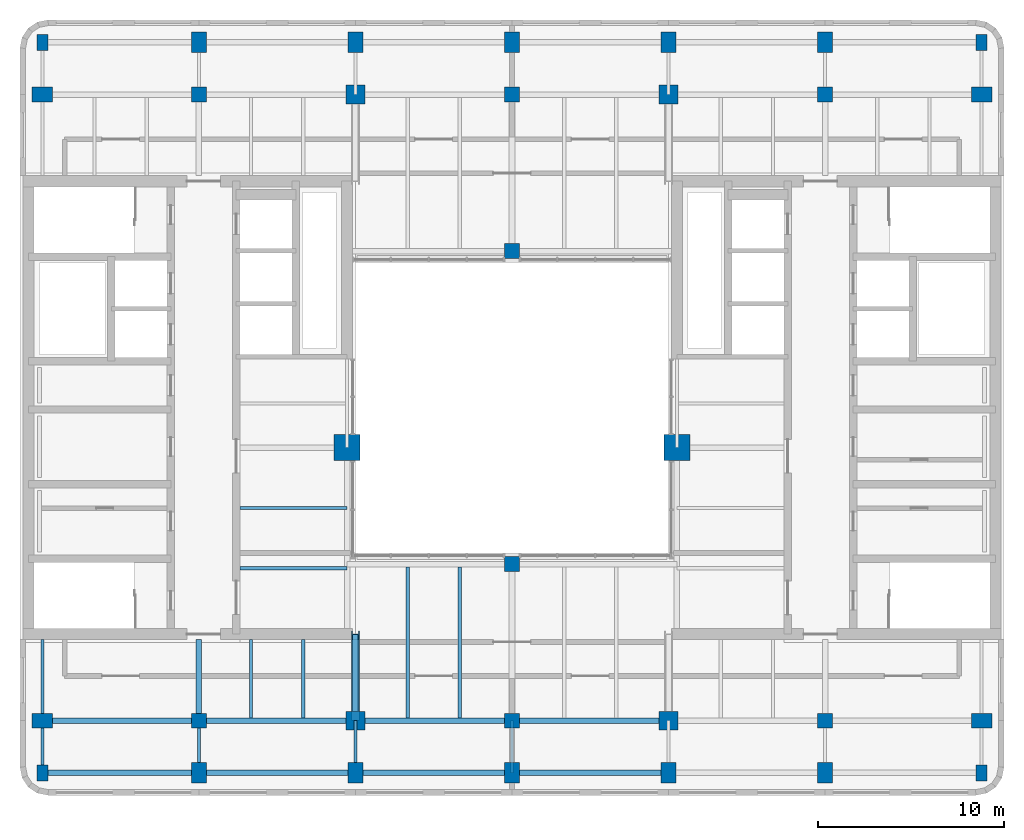
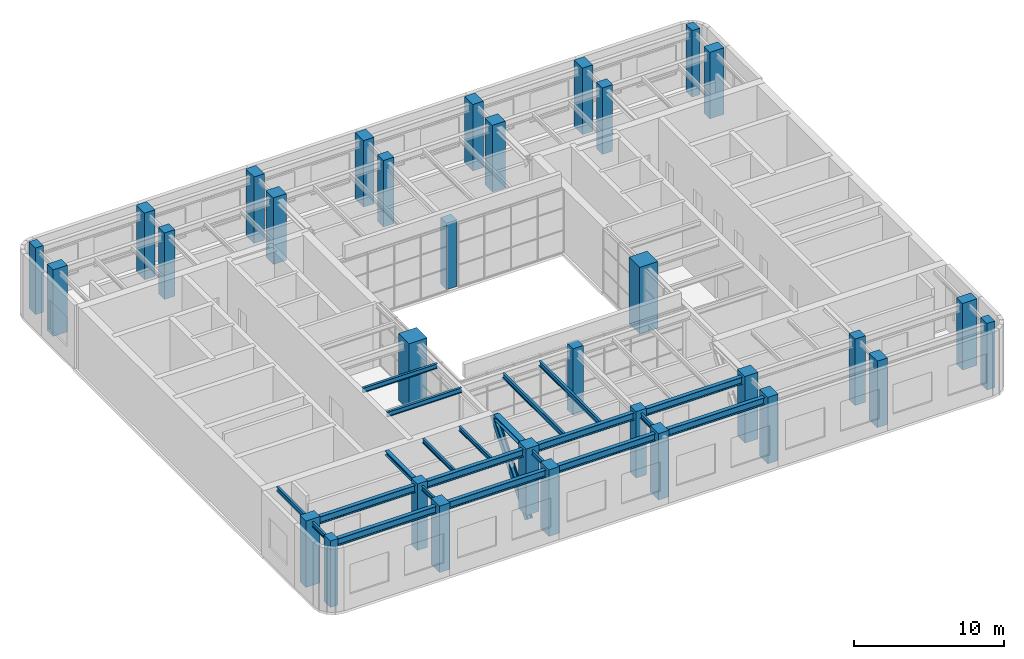
# One storey, part 1 of 11: 32 columns, 21 beams, 1 member.
"""IFC4 building model written with IfcOpenShell, lengths in metres."""

from ifc_helpers import new_model, si_unit, direction, frame, origin, origin_2d, place, context, subcontext, project, spatial, rectangle, i_section, extrude, material, material_profile, profile_set, type_object, element, save


model = new_model("IFC4")

# Units and contexts
model_context = context("Model", 3, precision=1e-05, world=origin(), true_north=direction((0.0, 1.0)))
body_context = subcontext(model_context, "Body", "Model", "MODEL_VIEW")
ifc_project = project(units=[si_unit("LENGTHUNIT", "METRE"), si_unit("AREAUNIT", "SQUARE_METRE"), si_unit("VOLUMEUNIT", "CUBIC_METRE"), si_unit("PLANEANGLEUNIT", "RADIAN"), si_unit("MASSUNIT", "GRAM", prefix="KILO")], contexts=[model_context])

# Site, building, storey
site_placement = place(None, origin())
site = spatial("IfcSite", under=ifc_project, at=site_placement, CompositionType="ELEMENT")
building_placement = place(site_placement, origin())
building = spatial("IfcBuilding", under=site, at=building_placement, Name="Claustro Exchange Tower", CompositionType="ELEMENT")
storey_placement = place(building_placement, frame((0.0, 0.0, 281.699951171875)))
storey = spatial("IfcBuildingStorey", under=building, at=storey_placement, Name="L64", CompositionType="ELEMENT", Elevation=281.699951171875)

# Columns
ifc_material_1 = material(Name="Concrete HA-70 (C70/85)", Category="concrete")
ifc_material_profile_1 = material_profile(ifc_material_1, rectangle(XDim=1.39990234375, YDim=1.39990234375, at=origin_2d()), Name="RC 1400x1400")
ifc_profile_set_1 = profile_set([ifc_material_profile_1], Name="Concrete HA-70 (C70/85)")
column_type_1 = type_object("IfcColumnType", Name="C0 RC 1400x1400 HA-70 column", PredefinedType="COLUMN", material=ifc_profile_set_1)
for number, where, z_axis, x_axis, name in (
    (1, (16.35009765625, 23.050048828125, 0.0), (0.0, 0.0, 1.0), (1.0, 0.0, 0.0), "Column C0 2+7950/C+6250 L64"),
    (2, (34.050048828125, 23.050048828125, 0.0), (0.0, 0.0, 1.0), (1.0, 0.0, 0.0), "Column C0 5+450/C+6250 L64"),
):
    element("IfcColumn", number, at=place(storey_placement, frame(where, z_axis=z_axis, x_axis=x_axis)), inside=storey, type_object=column_type_1, Name=name, PredefinedType="COLUMN", context=body_context, shape_type="SweptSolid", body=[
        extrude(rectangle(XDim=1.39990234375, YDim=1.39990234375, at=origin_2d()), origin(), (0.0, 0.0, 1.0), 5.400146484375),
    ])
ifc_material_2 = material(Name="Concrete HA-70 (C70/85)", Category="concrete")
ifc_material_profile_2 = material_profile(ifc_material_2, rectangle(XDim=1.0, YDim=1.0, at=origin_2d()), Name="RC 1000x1000")
ifc_profile_set_2 = profile_set([ifc_material_profile_2], Name="Concrete HA-70 (C70/85)")
column_type_2 = type_object("IfcColumnType", Name="C2 RC 1000x1000 HA-70 column", PredefinedType="COLUMN", material=ifc_profile_set_2)
for number, where, z_axis, x_axis, name in (
    (3, (16.800048828125, 8.39990234375, 0.0), (0.0, 0.0, 1.0), (1.0, 0.0, 0.0), "Column C2 3/B L64"),
    (4, (16.800048828125, 42.0, 0.0), (0.0, 0.0, 1.0), (1.0, 0.0, 0.0), "Column C2 3/F L64"),
    (5, (33.60009765625, 8.39990234375, 0.0), (0.0, 0.0, 1.0), (1.0, 0.0, 0.0), "Column C2 5/B L64"),
    (6, (33.60009765625, 42.0, 0.0), (0.0, 0.0, 1.0), (1.0, 0.0, 0.0), "Column C2 5/F L64"),
):
    element("IfcColumn", number, at=place(storey_placement, frame(where, z_axis=z_axis, x_axis=x_axis)), inside=storey, type_object=column_type_2, Name=name, PredefinedType="COLUMN", context=body_context, shape_type="SweptSolid", body=[
        extrude(rectangle(XDim=1.0, YDim=1.0, at=origin_2d()), origin(), (0.0, 0.0, 1.0), 5.400146484375),
    ])
ifc_material_3 = material(Name="Concrete HA-50 (C50/60)", Category="concrete")
ifc_material_profile_3 = material_profile(ifc_material_3, rectangle(XDim=0.800048828125, YDim=1.10009765625, at=origin_2d()), Name="RC 800x1100")
ifc_profile_set_3 = profile_set([ifc_material_profile_3], Name="Concrete HA-50 (C50/60)")
column_type_3 = type_object("IfcColumnType", Name="C23 RC 800x1100 HA-50 perimeter column", PredefinedType="COLUMN", material=ifc_profile_set_3)
for number, where, z_axis, x_axis, name in (
    (7, (0.0, 8.39990234375, 0.0), (0.0, 0.0, 1.0), (0.0, 1.0, 0.0), "Column C23 1/B L64"),
    (8, (0.0, 42.0, 0.0), (0.0, 0.0, 1.0), (0.0, 1.0, 0.0), "Column C23 1/F L64"),
    (9, (8.39990234375, 5.60009765625, 0.0), (0.0, 0.0, 1.0), (1.0, 0.0, 0.0), "Column C23 2/A+5600 L64"),
    (10, (8.39990234375, 44.800048828125, 0.0), (0.0, 0.0, 1.0), (1.0, 0.0, 0.0), "Column C23 2/F+2800 L64"),
    (11, (16.800048828125, 5.60009765625, 0.0), (0.0, 0.0, 1.0), (1.0, 0.0, 0.0), "Column C23 3/A+5600 L64"),
    (12, (16.800048828125, 44.800048828125, 0.0), (0.0, 0.0, 1.0), (1.0, 0.0, 0.0), "Column C23 3/F+2800 L64"),
    (13, (25.199951171875, 5.60009765625, 0.0), (0.0, 0.0, 1.0), (1.0, 0.0, 0.0), "Column C23 4/A+5600 L64"),
    (14, (25.199951171875, 44.800048828125, 0.0), (0.0, 0.0, 1.0), (1.0, 0.0, 0.0), "Column C23 4/F+2800 L64"),
    (15, (33.60009765625, 5.60009765625, 0.0), (0.0, 0.0, 1.0), (1.0, 0.0, 0.0), "Column C23 5/A+5600 L64"),
    (16, (33.60009765625, 44.800048828125, 0.0), (0.0, 0.0, 1.0), (1.0, 0.0, 0.0), "Column C23 5/F+2800 L64"),
    (17, (42.0, 5.60009765625, 0.0), (0.0, 0.0, 1.0), (1.0, 0.0, 0.0), "Column C23 6/A+5600 L64"),
    (18, (42.0, 44.800048828125, 0.0), (0.0, 0.0, 1.0), (1.0, 0.0, 0.0), "Column C23 6/F+2800 L64"),
    (19, (50.39990234375, 8.39990234375, 0.0), (0.0, 0.0, 1.0), (0.0, 1.0, 0.0), "Column C23 7/B L64"),
    (20, (50.39990234375, 42.0, 0.0), (0.0, 0.0, 1.0), (0.0, 1.0, 0.0), "Column C23 7/F L64"),
):
    element("IfcColumn", number, at=place(storey_placement, frame(where, z_axis=z_axis, x_axis=x_axis)), inside=storey, type_object=column_type_3, Name=name, PredefinedType="COLUMN", context=body_context, shape_type="SweptSolid", body=[
        extrude(rectangle(XDim=0.800048828125, YDim=1.10009765625, at=origin_2d()), origin(), (0.0, 0.0, 1.0), 5.400146484375),
    ])
ifc_material_4 = material(Name="Concrete HA-50 (C50/60)", Category="concrete")
ifc_material_profile_4 = material_profile(ifc_material_4, rectangle(XDim=0.60009765625, YDim=0.85009765625, at=origin_2d()), Name="RC 600x850")
ifc_profile_set_4 = profile_set([ifc_material_profile_4], Name="Concrete HA-50 (C50/60)")
column_type_4 = type_object("IfcColumnType", Name="C25 RC 600x850 HA-50 corner column", PredefinedType="COLUMN", material=ifc_profile_set_4)
for number, where, z_axis, x_axis, name in (
    (21, (0.0, 5.60009765625, 0.0), (0.0, 0.0, 1.0), (1.0, 0.0, 0.0), "Column C25 1/A+5600 L64"),
    (22, (0.0, 44.800048828125, 0.0), (0.0, 0.0, 1.0), (1.0, 0.0, 0.0), "Column C25 1/F+2800 L64"),
    (23, (50.39990234375, 5.60009765625, 0.0), (0.0, 0.0, 1.0), (1.0, 0.0, 0.0), "Column C25 7/A+5600 L64"),
    (24, (50.39990234375, 44.800048828125, 0.0), (0.0, 0.0, 1.0), (1.0, 0.0, 0.0), "Column C25 7/F+2800 L64"),
):
    element("IfcColumn", number, at=place(storey_placement, frame(where, z_axis=z_axis, x_axis=x_axis)), inside=storey, type_object=column_type_4, Name=name, PredefinedType="COLUMN", context=body_context, shape_type="SweptSolid", body=[
        extrude(rectangle(XDim=0.60009765625, YDim=0.85009765625, at=origin_2d()), origin(), (0.0, 0.0, 1.0), 5.400146484375),
    ])
ifc_material_5 = material(Name="Concrete HA-50 (C50/60)", Category="concrete")
ifc_material_profile_5 = material_profile(ifc_material_5, rectangle(XDim=0.800048828125, YDim=0.800048828125, at=origin_2d()), Name="RC 800x800")
ifc_profile_set_5 = profile_set([ifc_material_profile_5], Name="Concrete HA-50 (C50/60)")
column_type_5 = type_object("IfcColumnType", Name="C4 RC 800x800 HA-50 column", PredefinedType="COLUMN", material=ifc_profile_set_5)
for number, where, z_axis, x_axis, name in (
    (25, (8.39990234375, 8.39990234375, 0.0), (0.0, 0.0, 1.0), (1.0, 0.0, 0.0), "Column C4 2/B L64"),
    (26, (8.39990234375, 42.0, 0.0), (0.0, 0.0, 1.0), (1.0, 0.0, 0.0), "Column C4 2/F L64"),
    (27, (25.199951171875, 8.39990234375, 0.0), (0.0, 0.0, 1.0), (1.0, 0.0, 0.0), "Column C4 4/B L64"),
    (28, (25.199951171875, 42.0, 0.0), (0.0, 0.0, 1.0), (1.0, 0.0, 0.0), "Column C4 4/F L64"),
    (29, (25.199951171875, 16.800048828125, 0.0), (0.0, 0.0, 1.0), (1.0, 0.0, 0.0), "Column C4 4/C L64"),
    (30, (25.199951171875, 33.60009765625, 0.0), (0.0, 0.0, 1.0), (1.0, 0.0, 0.0), "Column C4 4/E L64"),
    (31, (42.0, 8.39990234375, 0.0), (0.0, 0.0, 1.0), (1.0, 0.0, 0.0), "Column C4 6/B L64"),
    (32, (42.0, 42.0, 0.0), (0.0, 0.0, 1.0), (1.0, 0.0, 0.0), "Column C4 6/F L64"),
):
    element("IfcColumn", number, at=place(storey_placement, frame(where, z_axis=z_axis, x_axis=x_axis)), inside=storey, type_object=column_type_5, Name=name, PredefinedType="COLUMN", context=body_context, shape_type="SweptSolid", body=[
        extrude(rectangle(XDim=0.800048828125, YDim=0.800048828125, at=origin_2d()), origin(), (0.0, 0.0, 1.0), 5.400146484375),
    ])

# Beams
ifc_material_6 = material(Name="Steel S355", Category="steel")
ifc_material_profile_6 = material_profile(ifc_material_6, i_section(OverallWidth=0.300048828125, OverallDepth=0.590087890625, WebThickness=0.012939453125, FlangeThickness=0.02490234375, FilletRadius=0.027099609375, at=origin_2d()), Name="HE 600 A")
ifc_profile_set_6 = profile_set([ifc_material_profile_6], Name="Steel S355")
beam_type_1 = type_object("IfcBeamType", Name="B10 HE 600 A floor girder", PredefinedType="BEAM", material=ifc_profile_set_6)
beam_1_placement = place(storey_placement, frame((0.0, 5.60009765625, 4.85498046875), z_axis=(1.0, 0.0, 0.0), x_axis=(0.0, 1.0, 0.0)))
element("IfcBeam", 33, at=beam_1_placement, inside=storey, type_object=beam_type_1, Name="Beam B10 ROOF", PredefinedType="BEAM", context=body_context, shape_type="SweptSolid", body=[
    extrude(i_section(OverallWidth=0.300048828125, OverallDepth=0.590087890625, WebThickness=0.012939453125, FlangeThickness=0.02490234375, FilletRadius=0.027099609375, at=origin_2d()), origin(), (0.0, 0.0, 1.0), 8.39990234375),
])
beam_2_placement = place(storey_placement, frame((8.39990234375, 5.60009765625, 4.85498046875), z_axis=(1.0, 0.0, 0.0), x_axis=(0.0, 1.0, 0.0)))
element("IfcBeam", 34, at=beam_2_placement, inside=storey, type_object=beam_type_1, Name="Beam B10 ROOF", PredefinedType="BEAM", context=body_context, shape_type="SweptSolid", body=[
    extrude(i_section(OverallWidth=0.300048828125, OverallDepth=0.590087890625, WebThickness=0.012939453125, FlangeThickness=0.02490234375, FilletRadius=0.027099609375, at=origin_2d()), origin(), (0.0, 0.0, 1.0), 8.400146484375),
])
beam_3_placement = place(storey_placement, frame((16.800048828125, 5.60009765625, 4.85498046875), z_axis=(1.0, 0.0, 0.0), x_axis=(0.0, 1.0, 0.0)))
element("IfcBeam", 35, at=beam_3_placement, inside=storey, type_object=beam_type_1, Name="Beam B10 ROOF", PredefinedType="BEAM", context=body_context, shape_type="SweptSolid", body=[
    extrude(i_section(OverallWidth=0.300048828125, OverallDepth=0.590087890625, WebThickness=0.012939453125, FlangeThickness=0.02490234375, FilletRadius=0.027099609375, at=origin_2d()), origin(), (0.0, 0.0, 1.0), 8.39990234375),
])
beam_4_placement = place(storey_placement, frame((25.199951171875, 5.60009765625, 4.85498046875), z_axis=(1.0, 0.0, 0.0), x_axis=(0.0, 1.0, 0.0)))
element("IfcBeam", 36, at=beam_4_placement, inside=storey, type_object=beam_type_1, Name="Beam B10 ROOF", PredefinedType="BEAM", context=body_context, shape_type="SweptSolid", body=[
    extrude(i_section(OverallWidth=0.300048828125, OverallDepth=0.590087890625, WebThickness=0.012939453125, FlangeThickness=0.02490234375, FilletRadius=0.027099609375, at=origin_2d()), origin(), (0.0, 0.0, 1.0), 8.400146484375),
])
beam_5_placement = place(storey_placement, frame((0.0, 8.39990234375, 4.85498046875), z_axis=(1.0, 0.0, 0.0), x_axis=(0.0, 1.0, 0.0)))
element("IfcBeam", 37, at=beam_5_placement, inside=storey, type_object=beam_type_1, Name="Beam B10 ROOF", PredefinedType="BEAM", context=body_context, shape_type="SweptSolid", body=[
    extrude(i_section(OverallWidth=0.300048828125, OverallDepth=0.590087890625, WebThickness=0.012939453125, FlangeThickness=0.02490234375, FilletRadius=0.027099609375, at=origin_2d()), origin(), (0.0, 0.0, 1.0), 8.39990234375),
])
beam_6_placement = place(storey_placement, frame((8.39990234375, 8.39990234375, 4.85498046875), z_axis=(1.0, 0.0, 0.0), x_axis=(0.0, 1.0, 0.0)))
element("IfcBeam", 38, at=beam_6_placement, inside=storey, type_object=beam_type_1, Name="Beam B10 ROOF", PredefinedType="BEAM", context=body_context, shape_type="SweptSolid", body=[
    extrude(i_section(OverallWidth=0.300048828125, OverallDepth=0.590087890625, WebThickness=0.012939453125, FlangeThickness=0.02490234375, FilletRadius=0.027099609375, at=origin_2d()), origin(), (0.0, 0.0, 1.0), 8.400146484375),
])
beam_7_placement = place(storey_placement, frame((16.800048828125, 8.39990234375, 4.85498046875), z_axis=(1.0, 0.0, 0.0), x_axis=(0.0, 1.0, 0.0)))
element("IfcBeam", 39, at=beam_7_placement, inside=storey, type_object=beam_type_1, Name="Beam B10 ROOF", PredefinedType="BEAM", context=body_context, shape_type="SweptSolid", body=[
    extrude(i_section(OverallWidth=0.300048828125, OverallDepth=0.590087890625, WebThickness=0.012939453125, FlangeThickness=0.02490234375, FilletRadius=0.027099609375, at=origin_2d()), origin(), (0.0, 0.0, 1.0), 8.39990234375),
])
beam_8_placement = place(storey_placement, frame((25.199951171875, 8.39990234375, 4.85498046875), z_axis=(1.0, 0.0, 0.0), x_axis=(0.0, 1.0, 0.0)))
element("IfcBeam", 40, at=beam_8_placement, inside=storey, type_object=beam_type_1, Name="Beam B10 ROOF", PredefinedType="BEAM", context=body_context, shape_type="SweptSolid", body=[
    extrude(i_section(OverallWidth=0.300048828125, OverallDepth=0.590087890625, WebThickness=0.012939453125, FlangeThickness=0.02490234375, FilletRadius=0.027099609375, at=origin_2d()), origin(), (0.0, 0.0, 1.0), 8.400146484375),
])
ifc_material_7 = material(Name="Steel S355", Category="steel")
ifc_material_profile_7 = material_profile(ifc_material_7, i_section(OverallWidth=0.179931640625, OverallDepth=0.39990234375, WebThickness=0.008544921875, FlangeThickness=0.013427734375, FilletRadius=0.02099609375, at=origin_2d()), Name="IPE 400")
ifc_profile_set_7 = profile_set([ifc_material_profile_7], Name="Steel S355")
beam_type_2 = type_object("IfcBeamType", Name="B11 IPE 400 secondary beam", PredefinedType="BEAM", material=ifc_profile_set_7)
for number, where, z_axis, x_axis, name in (
    (41, (19.60009765625, 8.550048828125, 4.949951171875), (0.0, 1.0, 0.0), (-1.0, 0.0, 0.0), "Beam B11 ROOF"),
    (42, (22.39990234375, 8.550048828125, 4.949951171875), (0.0, 1.0, 0.0), (-1.0, 0.0, 0.0), "Beam B11 ROOF"),
):
    element("IfcBeam", number, at=place(storey_placement, frame(where, z_axis=z_axis, x_axis=x_axis)), inside=storey, type_object=beam_type_2, Name=name, PredefinedType="BEAM", context=body_context, shape_type="SweptSolid", body=[
        extrude(i_section(OverallWidth=0.179931640625, OverallDepth=0.39990234375, WebThickness=0.008544921875, FlangeThickness=0.013427734375, FilletRadius=0.02099609375, at=origin_2d()), origin(), (0.0, 0.0, 1.0), 8.099853515625),
    ])
for number, where, z_axis, x_axis, name in (
    (43, (10.60009765625, 16.583251953125, 4.949951171875), (1.0, 0.0, 0.0), (0.0, 1.0, 0.0), "Beam B11 core step framing ROOF"),
    (44, (10.60009765625, 19.816650390625, 4.949951171875), (1.0, 0.0, 0.0), (0.0, 1.0, 0.0), "Beam B11 core step framing ROOF"),
):
    element("IfcBeam", number, at=place(storey_placement, frame(where, z_axis=z_axis, x_axis=x_axis)), inside=storey, type_object=beam_type_2, Name=name, PredefinedType="BEAM", context=body_context, shape_type="SweptSolid", body=[
        extrude(i_section(OverallWidth=0.179931640625, OverallDepth=0.39990234375, WebThickness=0.008544921875, FlangeThickness=0.013427734375, FilletRadius=0.02099609375, at=origin_2d()), origin(), (0.0, 0.0, 1.0), 5.75),
    ])
ifc_material_8 = material(Name="Steel S355", Category="steel")
ifc_material_profile_8 = material_profile(ifc_material_8, i_section(OverallWidth=0.169921875, OverallDepth=0.360107421875, WebThickness=0.008056640625, FlangeThickness=0.0126953125, FilletRadius=0.01806640625, at=origin_2d()), Name="IPE 360")
ifc_profile_set_8 = profile_set([ifc_material_profile_8], Name="Steel S355")
beam_type_3 = type_object("IfcBeamType", Name="B16 IPE 360 short-span beam", PredefinedType="BEAM", material=ifc_profile_set_8)
beam_9_placement = place(storey_placement, frame((0.0, 5.60009765625, 4.969970703125), z_axis=(0.0, 1.0, 0.0), x_axis=(-1.0, 0.0, 0.0)))
element("IfcBeam", 45, at=beam_9_placement, inside=storey, type_object=beam_type_3, Name="Beam B16 ROOF", PredefinedType="BEAM", context=body_context, shape_type="SweptSolid", body=[
    extrude(i_section(OverallWidth=0.169921875, OverallDepth=0.360107421875, WebThickness=0.008056640625, FlangeThickness=0.0126953125, FilletRadius=0.01806640625, at=origin_2d()), origin(), (0.0, 0.0, 1.0), 2.7998046875),
])
beam_10_placement = place(storey_placement, frame((0.0, 8.39990234375, 4.969970703125), z_axis=(0.0, 1.0, 0.0), x_axis=(-1.0, 0.0, 0.0)))
element("IfcBeam", 46, at=beam_10_placement, inside=storey, type_object=beam_type_3, Name="Beam B16 ROOF", PredefinedType="BEAM", context=body_context, shape_type="SweptSolid", body=[
    extrude(i_section(OverallWidth=0.169921875, OverallDepth=0.360107421875, WebThickness=0.008056640625, FlangeThickness=0.0126953125, FilletRadius=0.01806640625, at=origin_2d()), origin(), (0.0, 0.0, 1.0), 4.35009765625),
])
for number, where, z_axis, x_axis, name in (
    (47, (8.39990234375, 5.60009765625, 4.969970703125), (0.0, 1.0, 0.0), (-1.0, 0.0, 0.0), "Beam B16 ROOF"),
    (48, (16.800048828125, 5.60009765625, 4.969970703125), (0.0, 1.0, 0.0), (-1.0, 0.0, 0.0), "Beam B16 ROOF"),
):
    element("IfcBeam", number, at=place(storey_placement, frame(where, z_axis=z_axis, x_axis=x_axis)), inside=storey, type_object=beam_type_3, Name=name, PredefinedType="BEAM", context=body_context, shape_type="SweptSolid", body=[
        extrude(i_section(OverallWidth=0.169921875, OverallDepth=0.360107421875, WebThickness=0.008056640625, FlangeThickness=0.0126953125, FilletRadius=0.01806640625, at=origin_2d()), origin(), (0.0, 0.0, 1.0), 2.7998046875),
    ])
for number, where, z_axis, x_axis, name in (
    (49, (11.199951171875, 8.550048828125, 4.969970703125), (0.0, 1.0, 0.0), (-1.0, 0.0, 0.0), "Beam B16 ROOF"),
    (50, (14.0, 8.550048828125, 4.969970703125), (0.0, 1.0, 0.0), (-1.0, 0.0, 0.0), "Beam B16 ROOF"),
):
    element("IfcBeam", number, at=place(storey_placement, frame(where, z_axis=z_axis, x_axis=x_axis)), inside=storey, type_object=beam_type_3, Name=name, PredefinedType="BEAM", context=body_context, shape_type="SweptSolid", body=[
        extrude(i_section(OverallWidth=0.169921875, OverallDepth=0.360107421875, WebThickness=0.008056640625, FlangeThickness=0.0126953125, FilletRadius=0.01806640625, at=origin_2d()), origin(), (0.0, 0.0, 1.0), 4.199951171875),
    ])
ifc_material_9 = material(Name="Steel S355", Category="steel")
ifc_material_profile_9 = material_profile(ifc_material_9, i_section(OverallWidth=0.179931640625, OverallDepth=0.39990234375, WebThickness=0.008544921875, FlangeThickness=0.013427734375, FilletRadius=0.02099609375, at=origin_2d()), Name="IPE 400")
ifc_profile_set_9 = profile_set([ifc_material_profile_9], Name="Steel S355")
beam_type_4 = type_object("IfcBeamType", Name="B16A IPE 400 short-span beam", PredefinedType="BEAM", material=ifc_profile_set_9)
beam_11_placement = place(storey_placement, frame((25.199951171875, 5.60009765625, 4.949951171875), z_axis=(0.0, 1.0, 0.0), x_axis=(-1.0, 0.0, 0.0)))
element("IfcBeam", 51, at=beam_11_placement, inside=storey, type_object=beam_type_4, Name="Beam B16A ROOF", PredefinedType="BEAM", context=body_context, shape_type="SweptSolid", body=[
    extrude(i_section(OverallWidth=0.179931640625, OverallDepth=0.39990234375, WebThickness=0.008544921875, FlangeThickness=0.013427734375, FilletRadius=0.02099609375, at=origin_2d()), origin(), (0.0, 0.0, 1.0), 2.7998046875),
])
ifc_material_10 = material(Name="Steel S355", Category="steel")
ifc_material_profile_10 = material_profile(ifc_material_10, i_section(OverallWidth=0.300048828125, OverallDepth=0.360107421875, WebThickness=0.012451171875, FlangeThickness=0.0224609375, FilletRadius=0.027099609375, at=origin_2d()), Name="HE 360 B")
ifc_profile_set_10 = profile_set([ifc_material_profile_10], Name="Steel S355")
beam_type_5 = type_object("IfcBeamType", Name="B29 HE 360 B column to core link beam", PredefinedType="BEAM", material=ifc_profile_set_10)
beam_12_placement = place(storey_placement, frame((8.39990234375, 8.39990234375, 4.969970703125), z_axis=(0.0, 1.0, 0.0), x_axis=(-1.0, 0.0, 0.0)))
element("IfcBeam", 52, at=beam_12_placement, inside=storey, type_object=beam_type_5, Name="Beam B29 ROOF", PredefinedType="BEAM", context=body_context, shape_type="SweptSolid", body=[
    extrude(i_section(OverallWidth=0.300048828125, OverallDepth=0.360107421875, WebThickness=0.012451171875, FlangeThickness=0.0224609375, FilletRadius=0.027099609375, at=origin_2d()), origin(), (0.0, 0.0, 1.0), 4.35009765625),
])
ifc_material_11 = material(Name="Steel S460", Category="steel")
ifc_material_profile_11 = material_profile(ifc_material_11, i_section(OverallWidth=0.422119140625, OverallDepth=0.425048828125, WebThickness=0.035888671875, FlangeThickness=0.05810546875, FilletRadius=0.014892578125, at=origin_2d()), Name="HD 400x463")
ifc_profile_set_11 = profile_set([ifc_material_profile_11], Name="Steel S460")
beam_type_6 = type_object("IfcBeamType", Name="CT1 HD 400x463 cap truss chord", PredefinedType="BEAM", material=ifc_profile_set_11)
beam_13_placement = place(storey_placement, frame((16.800048828125, 8.39990234375, 4.9375), z_axis=(0.0, 1.0, 0.0), x_axis=(-1.0, 0.0, 0.0)))
element("IfcBeam", 53, at=beam_13_placement, inside=storey, type_object=beam_type_6, Name="Beam CT1 ROOF", PredefinedType="BEAM", context=body_context, shape_type="SweptSolid", body=[
    extrude(i_section(OverallWidth=0.422119140625, OverallDepth=0.425048828125, WebThickness=0.035888671875, FlangeThickness=0.05810546875, FilletRadius=0.014892578125, at=origin_2d()), origin(), (0.0, 0.0, 1.0), 4.35009765625),
])

# Member
ifc_material_12 = material(Name="Steel S460", Category="steel")
ifc_material_profile_12 = material_profile(ifc_material_12, i_section(OverallWidth=0.422119140625, OverallDepth=0.425048828125, WebThickness=0.035888671875, FlangeThickness=0.05810546875, FilletRadius=0.014892578125, at=origin_2d()), Name="HD 400x463")
ifc_profile_set_12 = profile_set([ifc_material_profile_12], Name="Steel S460")
member_type = type_object("IfcMemberType", Name="CT2 HD 400x463 cap truss diagonal", PredefinedType="BRACE", material=ifc_profile_set_12)
member_placement = place(storey_placement, frame((16.800048828125, 8.39990234375, -0.759033203125), z_axis=(0.0, 0.632369577615, 0.774666842783), x_axis=(0.0, -0.774666842783, 0.632369577615)))
element("IfcMember", 54, at=member_placement, inside=storey, type_object=member_type, Name="Cap truss diagonal CT2 L64", PredefinedType="BRACE", context=body_context, shape_type="SweptSolid", body=[
    extrude(i_section(OverallWidth=0.422119140625, OverallDepth=0.425048828125, WebThickness=0.035888671875, FlangeThickness=0.05810546875, FilletRadius=0.014892578125, at=origin_2d()), origin(), (0.0, 0.0, 1.0), 7.353515625),
])

save(model, "model.ifc")
